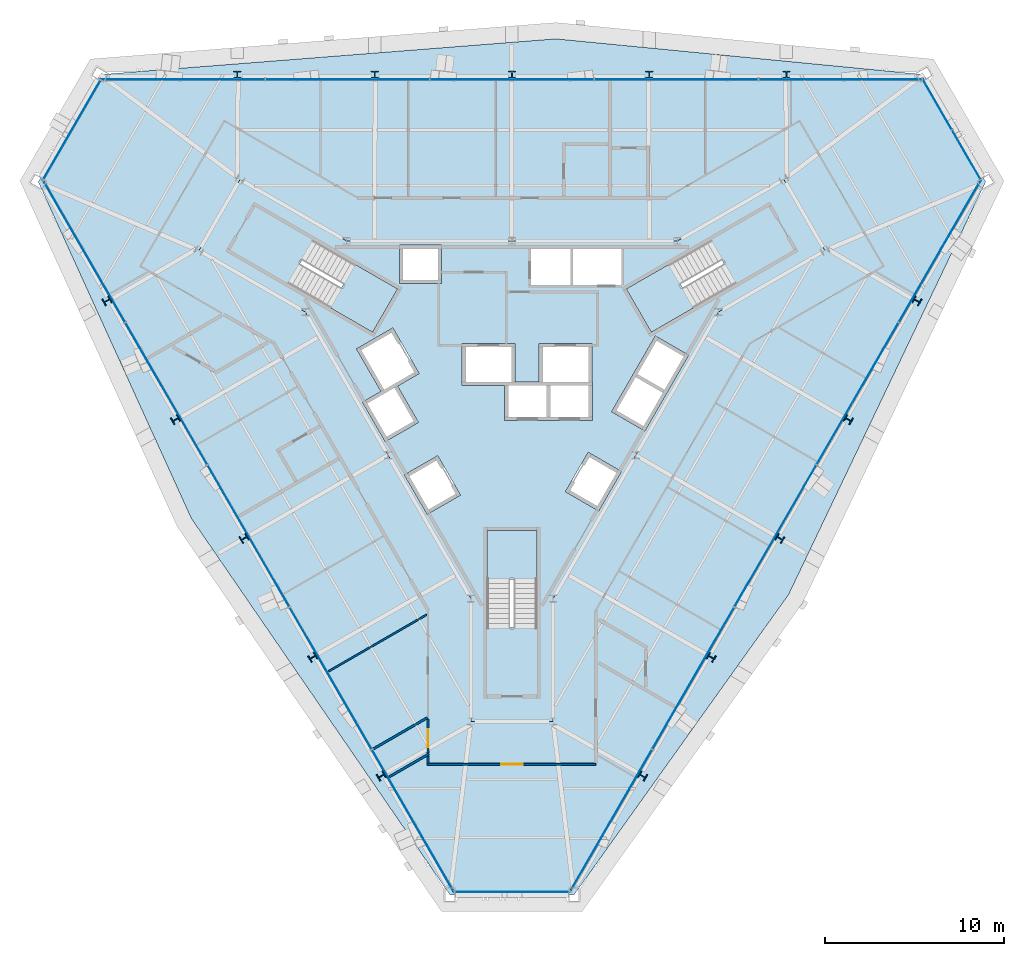
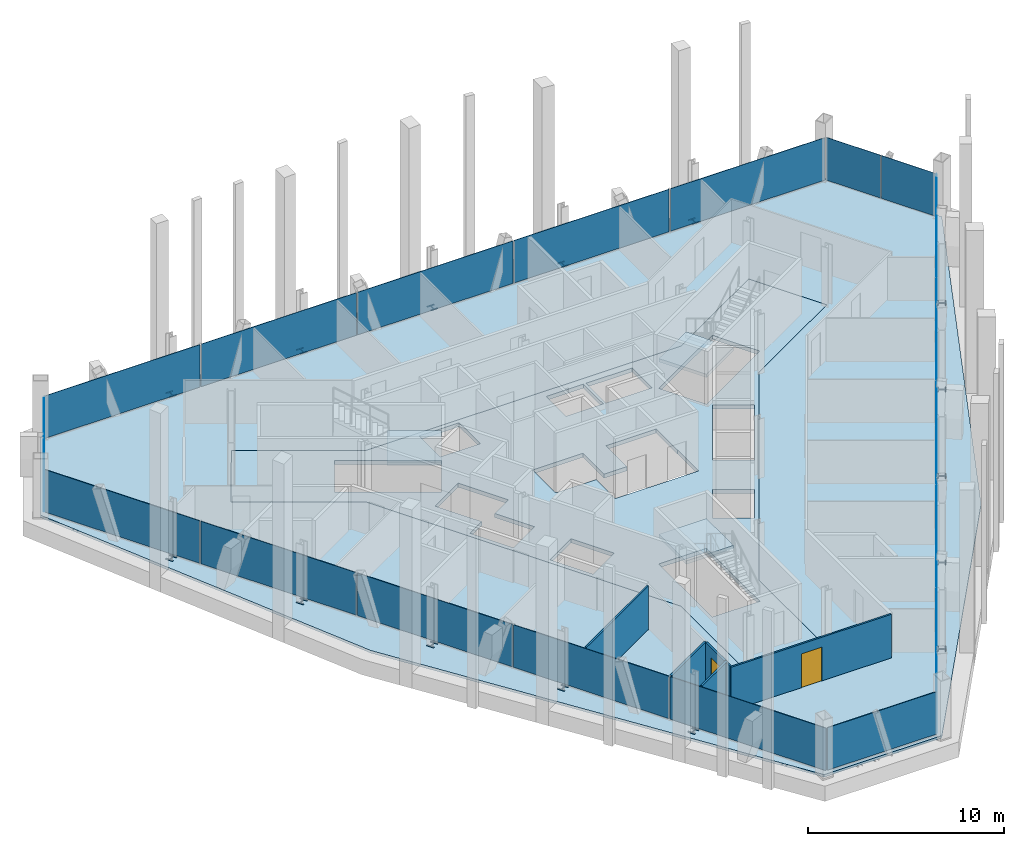
# One storey, part 7 of 13: 19 plates, 15 members, 6 walls, 5 slabs, 2 doors, 2 openings, 9 elements without a shape of their own.
"""IFC4 building model written with IfcOpenShell, lengths in metres."""

from ifc_helpers import new_model, si_unit, direction, frame, frame_2d, origin, origin_2d, place, context, subcontext, project, spatial, polyline, rectangle, i_section, outline, extrude, material, layer, layer_set, material_profile, profile_set, type_object, element, fill, aggregate, save


model = new_model("IFC4")

# Units and contexts
model_context = context("Model", 3, precision=1e-05, world=origin(), true_north=direction((0.0, 1.0)))
body_context = subcontext(model_context, "Body", "Model", "MODEL_VIEW")
ifc_project = project(units=[si_unit("LENGTHUNIT", "METRE"), si_unit("AREAUNIT", "SQUARE_METRE"), si_unit("VOLUMEUNIT", "CUBIC_METRE"), si_unit("PLANEANGLEUNIT", "RADIAN"), si_unit("MASSUNIT", "GRAM", prefix="KILO")], contexts=[model_context])

# Site, building, storey
site_placement = place(None, origin())
site = spatial("IfcSite", under=ifc_project, at=site_placement, CompositionType="ELEMENT")
building_placement = place(site_placement, origin())
building = spatial("IfcBuilding", under=site, at=building_placement, Name="Verrane Prism Tower", CompositionType="ELEMENT")
storey_placement = place(building_placement, frame((0.0, 0.0, 159.89990234375)))
storey = spatial("IfcBuildingStorey", under=building, at=storey_placement, Name="L39", CompositionType="ELEMENT", Elevation=159.89990234375)

# Members
ifc_material_1 = material(Name="Steel A992", Category="steel")
ifc_material_profile = material_profile(ifc_material_1, i_section(OverallWidth=0.411376953125, OverallDepth=0.434326171875, WebThickness=0.035888671875, FlangeThickness=0.057373046875, FilletRadius=0.01513671875, at=origin_2d()), Name="W14x311")
ifc_profile_set = profile_set([ifc_material_profile], Name="Steel A992")
member_type = type_object("IfcMemberType", Name="Kink node W14x311", PredefinedType="COLLAR", material=ifc_profile_set)
member_1_placement = place(storey_placement, frame((15.368408203125, 17.30615234375, -0.039794921875), z_axis=(0.0, 0.0, 1.0), x_axis=(1.0, 0.0, 0.0)))
element("IfcMember", 1, at=member_1_placement, inside=storey, type_object=member_type, Name="Kink node PC6 L39", PredefinedType="COLLAR", context=body_context, shape_type="SweptSolid", body=[
    extrude(i_section(OverallWidth=0.411376953125, OverallDepth=0.434326171875, WebThickness=0.035888671875, FlangeThickness=0.057373046875, FilletRadius=0.01513671875, at=origin_2d()), origin(), (0.0, 0.0, 1.0), 0.079833984375),
])
for number, where, z_axis, x_axis, name in (
    (2, (7.679443359375, 17.306640625, -0.034912109375), (0.0, 0.0, 1.0), (1.0, 0.0, 0.0), "Kink node PC6 L39"),
    (3, (0.0, 17.306640625, -0.034912109375), (0.0, 0.0, 1.0), (1.0, 0.0, 0.0), "Kink node PC6 L39"),
    (4, (-7.679443359375, 17.306640625, -0.034912109375), (0.0, 0.0, 1.0), (1.0, 0.0, 0.0), "Kink node PC6 L39"),
):
    element("IfcMember", number, at=place(storey_placement, frame(where, z_axis=z_axis, x_axis=x_axis)), inside=storey, type_object=member_type, Name=name, PredefinedType="COLLAR", context=body_context, shape_type="SweptSolid", body=[
        extrude(i_section(OverallWidth=0.411376953125, OverallDepth=0.434326171875, WebThickness=0.035888671875, FlangeThickness=0.057373046875, FilletRadius=0.01513671875, at=origin_2d()), origin(), (0.0, 0.0, 1.0), 0.070068359375),
    ])
for number, where, z_axis, x_axis, name in (
    (5, (-15.368408203125, 17.30615234375, -0.039794921875), (0.0, 0.0, 1.0), (1.0, 0.0, 0.0), "Kink node PC6 L39"),
    (6, (7.307373046875, -21.956787109375, -0.039794921875), (0.0, 0.0, 1.0), (-0.5, -0.866025403784, 0.0), "Kink node PC6 L39"),
):
    element("IfcMember", number, at=place(storey_placement, frame(where, z_axis=z_axis, x_axis=x_axis)), inside=storey, type_object=member_type, Name=name, PredefinedType="COLLAR", context=body_context, shape_type="SweptSolid", body=[
        extrude(i_section(OverallWidth=0.411376953125, OverallDepth=0.434326171875, WebThickness=0.035888671875, FlangeThickness=0.057373046875, FilletRadius=0.01513671875, at=origin_2d()), origin(), (0.0, 0.0, 1.0), 0.079833984375),
    ])
for number, where, z_axis, x_axis, name in (
    (7, (11.1474609375, -15.307861328125, -0.034912109375), (0.0, 0.0, 1.0), (-0.5, -0.866025403784, 0.0), "Kink node PC6 L39"),
    (8, (14.987060546875, -8.6484375, -0.034912109375), (0.0, 0.0, 1.0), (-0.5, -0.866025403784, 0.0), "Kink node PC6 L39"),
    (9, (18.826904296875, -1.998779296875, -0.034912109375), (0.0, 0.0, 1.0), (-0.5, -0.866025403784, 0.0), "Kink node PC6 L39"),
):
    element("IfcMember", number, at=place(storey_placement, frame(where, z_axis=z_axis, x_axis=x_axis)), inside=storey, type_object=member_type, Name=name, PredefinedType="COLLAR", context=body_context, shape_type="SweptSolid", body=[
        extrude(i_section(OverallWidth=0.411376953125, OverallDepth=0.434326171875, WebThickness=0.035888671875, FlangeThickness=0.057373046875, FilletRadius=0.01513671875, at=origin_2d()), origin(), (0.0, 0.0, 1.0), 0.070068359375),
    ])
for number, where, z_axis, x_axis, name in (
    (10, (22.666015625, 4.650634765625, -0.039794921875), (0.0, 0.0, 1.0), (-0.5, -0.866025403784, 0.0), "Kink node PC6 L39"),
    (11, (-22.666015625, 4.650634765625, -0.039794921875), (0.0, 0.0, 1.0), (-0.5, 0.866025403784, 0.0), "Kink node PC6 L39"),
):
    element("IfcMember", number, at=place(storey_placement, frame(where, z_axis=z_axis, x_axis=x_axis)), inside=storey, type_object=member_type, Name=name, PredefinedType="COLLAR", context=body_context, shape_type="SweptSolid", body=[
        extrude(i_section(OverallWidth=0.411376953125, OverallDepth=0.434326171875, WebThickness=0.035888671875, FlangeThickness=0.057373046875, FilletRadius=0.01513671875, at=origin_2d()), origin(), (0.0, 0.0, 1.0), 0.079833984375),
    ])
for number, where, z_axis, x_axis, name in (
    (12, (-18.826904296875, -1.998779296875, -0.034912109375), (0.0, 0.0, 1.0), (-0.5, 0.866025403784, 0.0), "Kink node PC6 L39"),
    (13, (-14.987060546875, -8.6484375, -0.034912109375), (0.0, 0.0, 1.0), (-0.5, 0.866025403784, 0.0), "Kink node PC6 L39"),
    (14, (-11.1474609375, -15.307861328125, -0.034912109375), (0.0, 0.0, 1.0), (-0.5, 0.866025403784, 0.0), "Kink node PC6 L39"),
):
    element("IfcMember", number, at=place(storey_placement, frame(where, z_axis=z_axis, x_axis=x_axis)), inside=storey, type_object=member_type, Name=name, PredefinedType="COLLAR", context=body_context, shape_type="SweptSolid", body=[
        extrude(i_section(OverallWidth=0.411376953125, OverallDepth=0.434326171875, WebThickness=0.035888671875, FlangeThickness=0.057373046875, FilletRadius=0.01513671875, at=origin_2d()), origin(), (0.0, 0.0, 1.0), 0.070068359375),
    ])
member_2_placement = place(storey_placement, frame((-7.307373046875, -21.956787109375, -0.039794921875), z_axis=(0.0, 0.0, 1.0), x_axis=(-0.5, 0.866025403784, 0.0)))
element("IfcMember", 15, at=member_2_placement, inside=storey, type_object=member_type, Name="Kink node PC6 L39", PredefinedType="COLLAR", context=body_context, shape_type="SweptSolid", body=[
    extrude(i_section(OverallWidth=0.411376953125, OverallDepth=0.434326171875, WebThickness=0.035888671875, FlangeThickness=0.057373046875, FilletRadius=0.01513671875, at=origin_2d()), origin(), (0.0, 0.0, 1.0), 0.079833984375),
])

# Slabs
ifc_material_2 = material(Name="Concrete C35/45", Category="concrete")
ifc_layer_1 = layer(ifc_material_2, 0.159912109375)
ifc_layer_set_1 = layer_set([ifc_layer_1], Name="Composite floor slab")
slab_type_1 = type_object("IfcSlabType", Name="Composite floor slab", PredefinedType="FLOOR", material=ifc_layer_set_1)
slab_1_placement = place(storey_placement, frame((0.0, 0.0, -0.159912109375)))
element("IfcSlab", 16, at=slab_1_placement, inside=storey, type_object=slab_type_1, Name="Floor slab L39", PredefinedType="FLOOR", context=body_context, shape_type="SweptSolid", body=[
    extrude(outline(polyline([(15.49365234375, -11.7841796875), (3.467041015625, -28.614990234375), (-3.467041015625, -28.614990234375), (-17.9521484375, -7.52587890625), (-26.514892578125, 11.304931640625), (-23.0478515625, 17.31005859375), (2.45849609375, 19.31005859375), (23.0478515625, 17.31005859375), (26.514892578125, 11.304931640625), (15.49365234375, -11.7841796875)]), holes=[polyline([(17.52001953125, 7.4599609375), (15.219970703125, 11.43994140625), (9.260009765625, 8.0), (0.0, 8.0), (-9.260009765625, 8.0), (-15.219970703125, 11.43994140625), (-17.52001953125, 7.4599609375), (-11.56005859375, 4.02001953125), (-6.929931640625, -4.0), (-2.300048828125, -12.02001953125), (-2.300048828125, -18.89990234375), (2.300048828125, -18.89990234375), (2.300048828125, -12.02001953125), (6.929931640625, -4.0), (11.56005859375, 4.02001953125), (17.52001953125, 7.4599609375)])]), origin(), (0.0, 0.0, 1.0), 0.159912109375),
])
ifc_material_3 = material(Name="Concrete C40/50", Category="concrete")
ifc_layer_2 = layer(ifc_material_3, 0.25)
ifc_layer_set_2 = layer_set([ifc_layer_2], Name="Core floor slab 250 concrete C40/50")
slab_type_2 = type_object("IfcSlabType", Name="Core floor slab 250 concrete C40/50", PredefinedType="FLOOR", material=ifc_layer_set_2)
slab_2_placement = place(storey_placement, frame((0.0, 0.0, -0.25)))
element("IfcSlab", 17, at=slab_2_placement, inside=storey, type_object=slab_type_2, Name="Core floor L39", PredefinedType="FLOOR", context=body_context, shape_type="SweptSolid", body=[
    extrude(outline(polyline([(11.56005859375, 4.02001953125), (17.52001953125, 7.4599609375), (15.219970703125, 11.43994140625), (9.260009765625, 8.0), (0.0, 8.0), (-9.260009765625, 8.0), (-15.219970703125, 11.43994140625), (-17.52001953125, 7.4599609375), (-11.56005859375, 4.02001953125), (-6.929931640625, -4.0), (-2.300048828125, -12.02001953125), (-2.300048828125, -18.89990234375), (2.300048828125, -18.89990234375), (2.300048828125, -12.02001953125), (6.929931640625, -4.0), (11.56005859375, 4.02001953125)]), holes=[polyline([(1.39990234375, -8.199951171875), (1.39990234375, -13.639892578125), (-1.39990234375, -13.639892578125), (-1.39990234375, -8.199951171875), (1.39990234375, -8.199951171875)]), polyline([(-2.881103515625, -6.22998046875), (-4.742919921875, -7.304931640625), (-6.01806640625, -5.096923828125), (-4.156005859375, -4.02197265625), (-2.881103515625, -6.22998046875)]), polyline([(-7.801025390625, 2.887939453125), (-12.512939453125, 5.60791015625), (-11.113037109375, 8.031982421875), (-6.40087890625, 5.31201171875), (-7.801025390625, 2.887939453125)]), polyline([(-6.284912109375, 5.610107421875), (-6.284912109375, 7.760009765625), (-3.93505859375, 7.760009765625), (-3.93505859375, 5.610107421875), (-6.284912109375, 5.610107421875)]), polyline([(4.26611328125, -3.8310546875), (6.1279296875, -4.906005859375), (4.85302734375, -7.114990234375), (2.990966796875, -6.0400390625), (4.26611328125, -3.8310546875)]), polyline([(7.43798828125, -2.636962890625), (5.575927734375, -1.56201171875), (8.02587890625, 2.680908203125), (9.887939453125, 1.60595703125), (7.43798828125, -2.636962890625)]), polyline([(0.1650390625, 0.10009765625), (1.52490234375, 0.10009765625), (1.52490234375, 2.25), (4.47509765625, 2.25), (4.47509765625, 0.10009765625), (4.4951171875, 0.10009765625), (4.4951171875, -2.050048828125), (-0.405029296875, -2.050048828125), (-0.405029296875, -0.10009765625), (-2.784912109375, -0.10009765625), (-2.784912109375, 2.25), (0.1650390625, 2.25), (0.1650390625, 0.10009765625)]), polyline([(6.40087890625, 5.31201171875), (11.113037109375, 8.031982421875), (12.512939453125, 5.60791015625), (7.801025390625, 2.887939453125), (6.40087890625, 5.31201171875)]), polyline([(1.074951171875, 5.534912109375), (1.074951171875, 7.56005859375), (3.264892578125, 7.56005859375), (3.264892578125, 5.534912109375), (1.074951171875, 5.534912109375)]), polyline([(3.4150390625, 7.56005859375), (6.125, 7.56005859375), (6.125, 5.534912109375), (3.4150390625, 5.534912109375), (3.4150390625, 7.56005859375)]), polyline([(-5.23095703125, -2.159912109375), (-7.093017578125, -3.235107421875), (-8.367919921875, -1.02587890625), (-7.3291015625, -0.426025390625), (-8.7041015625, 1.955078125), (-6.66796875, 3.1298828125), (-5.193115234375, 0.574951171875), (-6.406005859375, -0.125), (-5.23095703125, -2.159912109375)])]), origin(), (0.0, 0.0, 1.0), 0.25),
])

# Curtain wall, plates
ifc_material_4 = material(Name="Aluminium framed insulated glazing", Category="aluminium")
curtain_wall_type_1 = type_object("IfcCurtainWallType", Name="Curtain wall CW-C 4200 module", PredefinedType="NOTDEFINED", material=ifc_material_4)
curtain_wall_1_placement = place(storey_placement, origin())
curtain_wall_1 = element("IfcCurtainWall", 18, at=curtain_wall_1_placement, inside=storey, type_object=curtain_wall_type_1, Name="Glazed curtain wall north-east corner L39", PredefinedType="NOTDEFINED")
ifc_material_5 = material(Name="Low-iron insulating glass unit", Category="glass")
ifc_layer_3 = layer(ifc_material_5, 0.02392578125)
ifc_layer_set_3 = layer_set([ifc_layer_3], Name="Glazing panel IGU 24")
plate_type_1 = type_object("IfcPlateType", Name="Glazing panel IGU 24", PredefinedType="CURTAIN_PANEL", material=ifc_layer_set_3)
plate_1_placement = place(storey_placement, frame((25.43310546875, 12.823486328125, 0.05029296875), z_axis=(0.0, 0.0, 1.0), x_axis=(-0.50000590643, 0.866021993679, 0.0)))
plate_1 = element("IfcPlate", 19, at=plate_1_placement, type_object=plate_type_1, Name="CW39.1 panel 1", PredefinedType="CURTAIN_PANEL", context=body_context, shape_type="SweptSolid", body=[
    extrude(rectangle(XDim=3.17236328125, YDim=0.02392578125, at=origin_2d()), origin(), (0.0, 0.0, 1.0), 2.662841796875),
])
plate_2_placement = place(storey_placement, frame((23.8095703125, 15.6357421875, 0.05029296875), z_axis=(0.0, 0.0, 1.0), x_axis=(-0.50000590643, 0.866021993679, 0.0)))
plate_2 = element("IfcPlate", 20, at=plate_2_placement, type_object=plate_type_1, Name="CW39.1 panel 2", PredefinedType="CURTAIN_PANEL", context=body_context, shape_type="SweptSolid", body=[
    extrude(rectangle(XDim=3.22216796875, YDim=0.02392578125, at=origin_2d()), origin(), (0.0, 0.0, 1.0), 2.662841796875),
])
aggregate(curtain_wall_1, [plate_1, plate_2])

ifc_material_6 = material(Name="Aluminium framed insulated glazing", Category="aluminium")
curtain_wall_type_2 = type_object("IfcCurtainWallType", Name="Curtain wall CW-A 8400 module", PredefinedType="NOTDEFINED", material=ifc_material_6)
curtain_wall_2_placement = place(storey_placement, origin())
curtain_wall_2 = element("IfcCurtainWall", 21, at=curtain_wall_2_placement, inside=storey, type_object=curtain_wall_type_2, Name="Glazed curtain wall north face L39", PredefinedType="NOTDEFINED")
ifc_material_7 = material(Name="Low-iron insulating glass unit", Category="glass")
ifc_layer_4 = layer(ifc_material_7, 0.031982421875)
ifc_layer_set_4 = layer_set([ifc_layer_4], Name="Glazing panel IGU 32")
plate_type_2 = type_object("IfcPlateType", Name="Glazing panel IGU 32", PredefinedType="CURTAIN_PANEL", material=ifc_layer_set_4)
plate_3_placement = place(storey_placement, frame((18.3857421875, 17.031005859375, 0.0703125), z_axis=(0.0, 0.0, 1.0), x_axis=(-1.0, 0.0, 0.0)))
plate_3 = element("IfcPlate", 22, at=plate_3_placement, type_object=plate_type_2, Name="CW39.2 panel 1", PredefinedType="CURTAIN_PANEL", context=body_context, shape_type="SweptSolid", body=[
    extrude(rectangle(XDim=9.0966796875, YDim=0.031982421875, at=origin_2d()), origin(), (0.0, 0.0, 1.0), 2.642822265625),
])
plate_4_placement = place(storey_placement, frame((9.20166015625, 17.031005859375, 0.0703125), z_axis=(0.0, 0.0, 1.0), x_axis=(-1.0, 0.0, 0.0)))
plate_4 = element("IfcPlate", 23, at=plate_4_placement, type_object=plate_type_2, Name="CW39.2 panel 2", PredefinedType="CURTAIN_PANEL", context=body_context, shape_type="SweptSolid", body=[
    extrude(rectangle(XDim=9.131591796875, YDim=0.031982421875, at=origin_2d()), origin(), (0.0, 0.0, 1.0), 2.642822265625),
])
plate_5_placement = place(storey_placement, frame((0.0, 17.031005859375, 0.0703125), z_axis=(0.0, 0.0, 1.0), x_axis=(-1.0, 0.0, 0.0)))
plate_5 = element("IfcPlate", 24, at=plate_5_placement, type_object=plate_type_2, Name="CW39.2 panel 3", PredefinedType="CURTAIN_PANEL", context=body_context, shape_type="SweptSolid", body=[
    extrude(rectangle(XDim=9.131591796875, YDim=0.031982421875, at=origin_2d()), origin(), (0.0, 0.0, 1.0), 2.642822265625),
])
plate_6_placement = place(storey_placement, frame((-9.20166015625, 17.031005859375, 0.0703125), z_axis=(0.0, 0.0, 1.0), x_axis=(-1.0, 0.0, 0.0)))
plate_6 = element("IfcPlate", 25, at=plate_6_placement, type_object=plate_type_2, Name="CW39.2 panel 4", PredefinedType="CURTAIN_PANEL", context=body_context, shape_type="SweptSolid", body=[
    extrude(rectangle(XDim=9.131591796875, YDim=0.031982421875, at=origin_2d()), origin(), (0.0, 0.0, 1.0), 2.642822265625),
])
plate_7_placement = place(storey_placement, frame((-18.420654296875, 17.031005859375, 0.0703125), z_axis=(0.0, 0.0, 1.0), x_axis=(-1.0, 0.0, 0.0)))
plate_7 = element("IfcPlate", 26, at=plate_7_placement, type_object=plate_type_2, Name="CW39.2 panel 5", PredefinedType="CURTAIN_PANEL", context=body_context, shape_type="SweptSolid", body=[
    extrude(rectangle(XDim=9.16650390625, YDim=0.031982421875, at=origin_2d()), origin(), (0.0, 0.0, 1.0), 2.642822265625),
])
aggregate(curtain_wall_2, [plate_3, plate_4, plate_5, plate_6, plate_7])

# Curtain wall, plate
curtain_wall_3_placement = place(storey_placement, origin())
curtain_wall_3 = element("IfcCurtainWall", 27, at=curtain_wall_3_placement, inside=storey, type_object=curtain_wall_type_2, Name="Glazed curtain wall north-west corner L39", PredefinedType="NOTDEFINED")
plate_8_placement = place(storey_placement, frame((-24.645263671875, 14.1884765625, 0.0703125), z_axis=(0.0, 0.0, 1.0), x_axis=(-0.50000590643, -0.866021993679, 0.0)))
plate_8 = element("IfcPlate", 28, at=plate_8_placement, type_object=plate_type_2, Name="CW39.3 panel 1", PredefinedType="CURTAIN_PANEL", context=body_context, shape_type="SweptSolid", body=[
    extrude(rectangle(XDim=6.424560546875, YDim=0.031982421875, at=origin_2d()), origin(), (0.0, 0.0, 1.0), 2.642822265625),
])
aggregate(curtain_wall_3, [plate_8])

# Curtain wall, plates
curtain_wall_4_placement = place(storey_placement, origin())
curtain_wall_4 = element("IfcCurtainWall", 29, at=curtain_wall_4_placement, inside=storey, type_object=curtain_wall_type_2, Name="Glazed curtain wall south-west face L39", PredefinedType="NOTDEFINED")
plate_9_placement = place(storey_placement, frame((-23.942138671875, 7.406982421875, 0.0703125), z_axis=(0.0, 0.0, 1.0), x_axis=(0.499999028499, -0.86602596468, 0.0)))
plate_9 = element("IfcPlate", 30, at=plate_9_placement, type_object=plate_type_2, Name="CW39.4 panel 1", PredefinedType="CURTAIN_PANEL", context=body_context, shape_type="SweptSolid", body=[
    extrude(rectangle(XDim=9.0966796875, YDim=0.031982421875, at=origin_2d()), origin(), (0.0, 0.0, 1.0), 2.642822265625),
])
plate_10_placement = place(storey_placement, frame((-19.35009765625, -0.546630859375, 0.0703125), z_axis=(0.0, 0.0, 1.0), x_axis=(0.499999028499, -0.86602596468, 0.0)))
plate_10 = element("IfcPlate", 31, at=plate_10_placement, type_object=plate_type_2, Name="CW39.4 panel 2", PredefinedType="CURTAIN_PANEL", context=body_context, shape_type="SweptSolid", body=[
    extrude(rectangle(XDim=9.131591796875, YDim=0.031982421875, at=origin_2d()), origin(), (0.0, 0.0, 1.0), 2.642822265625),
])
plate_11_placement = place(storey_placement, frame((-14.749267578125, -8.515380859375, 0.0703125), z_axis=(0.0, 0.0, 1.0), x_axis=(0.499999028499, -0.86602596468, 0.0)))
plate_11 = element("IfcPlate", 32, at=plate_11_placement, type_object=plate_type_2, Name="CW39.4 panel 3", PredefinedType="CURTAIN_PANEL", context=body_context, shape_type="SweptSolid", body=[
    extrude(rectangle(XDim=9.131591796875, YDim=0.031982421875, at=origin_2d()), origin(), (0.0, 0.0, 1.0), 2.642822265625),
])
plate_12_placement = place(storey_placement, frame((-10.1484375, -16.484375, 0.0703125), z_axis=(0.0, 0.0, 1.0), x_axis=(0.499999028499, -0.86602596468, 0.0)))
plate_12 = element("IfcPlate", 33, at=plate_12_placement, type_object=plate_type_2, Name="CW39.4 panel 4", PredefinedType="CURTAIN_PANEL", context=body_context, shape_type="SweptSolid", body=[
    extrude(rectangle(XDim=9.131591796875, YDim=0.031982421875, at=origin_2d()), origin(), (0.0, 0.0, 1.0), 2.642822265625),
])
plate_13_placement = place(storey_placement, frame((-5.5390625, -24.46826171875, 0.0703125), z_axis=(0.0, 0.0, 1.0), x_axis=(0.499999028499, -0.86602596468, 0.0)))
plate_13 = element("IfcPlate", 34, at=plate_13_placement, type_object=plate_type_2, Name="CW39.4 panel 5", PredefinedType="CURTAIN_PANEL", context=body_context, shape_type="SweptSolid", body=[
    extrude(rectangle(XDim=9.16650390625, YDim=0.031982421875, at=origin_2d()), origin(), (0.0, 0.0, 1.0), 2.642822265625),
])
aggregate(curtain_wall_4, [plate_9, plate_10, plate_11, plate_12, plate_13])

# Curtain wall, plate
curtain_wall_5_placement = place(storey_placement, origin())
curtain_wall_5 = element("IfcCurtainWall", 35, at=curtain_wall_5_placement, inside=storey, type_object=curtain_wall_type_2, Name="Glazed curtain wall south corner L39", PredefinedType="NOTDEFINED")
plate_14_placement = place(storey_placement, frame((0.034912109375, -28.4375, 0.0703125), z_axis=(0.0, 0.0, 1.0), x_axis=(1.0, 0.0, 0.0)))
plate_14 = element("IfcPlate", 36, at=plate_14_placement, type_object=plate_type_2, Name="CW39.5 panel 1", PredefinedType="CURTAIN_PANEL", context=body_context, shape_type="SweptSolid", body=[
    extrude(rectangle(XDim=6.424560546875, YDim=0.031982421875, at=origin_2d()), origin(), (0.0, 0.0, 1.0), 2.642822265625),
])
aggregate(curtain_wall_5, [plate_14])

# Curtain wall, plates
curtain_wall_6_placement = place(storey_placement, origin())
curtain_wall_6 = element("IfcCurtainWall", 37, at=curtain_wall_6_placement, inside=storey, type_object=curtain_wall_type_2, Name="Glazed curtain wall south-east face L39", PredefinedType="NOTDEFINED")
plate_15_placement = place(storey_placement, frame((5.556396484375, -24.43798828125, 0.0703125), z_axis=(0.0, 0.0, 1.0), x_axis=(0.499999028499, 0.86602596468, 0.0)))
plate_15 = element("IfcPlate", 38, at=plate_15_placement, type_object=plate_type_2, Name="CW39.6 panel 1", PredefinedType="CURTAIN_PANEL", context=body_context, shape_type="SweptSolid", body=[
    extrude(rectangle(XDim=9.0966796875, YDim=0.031982421875, at=origin_2d()), origin(), (0.0, 0.0, 1.0), 2.642822265625),
])
plate_16_placement = place(storey_placement, frame((10.1484375, -16.484375, 0.0703125), z_axis=(0.0, 0.0, 1.0), x_axis=(0.499999028499, 0.86602596468, 0.0)))
plate_16 = element("IfcPlate", 39, at=plate_16_placement, type_object=plate_type_2, Name="CW39.6 panel 2", PredefinedType="CURTAIN_PANEL", context=body_context, shape_type="SweptSolid", body=[
    extrude(rectangle(XDim=9.131591796875, YDim=0.031982421875, at=origin_2d()), origin(), (0.0, 0.0, 1.0), 2.642822265625),
])
plate_17_placement = place(storey_placement, frame((14.749267578125, -8.515380859375, 0.0703125), z_axis=(0.0, 0.0, 1.0), x_axis=(0.499999028499, 0.86602596468, 0.0)))
plate_17 = element("IfcPlate", 40, at=plate_17_placement, type_object=plate_type_2, Name="CW39.6 panel 3", PredefinedType="CURTAIN_PANEL", context=body_context, shape_type="SweptSolid", body=[
    extrude(rectangle(XDim=9.131591796875, YDim=0.031982421875, at=origin_2d()), origin(), (0.0, 0.0, 1.0), 2.642822265625),
])
plate_18_placement = place(storey_placement, frame((19.35009765625, -0.546630859375, 0.0703125), z_axis=(0.0, 0.0, 1.0), x_axis=(0.499999028499, 0.86602596468, 0.0)))
plate_18 = element("IfcPlate", 41, at=plate_18_placement, type_object=plate_type_2, Name="CW39.6 panel 4", PredefinedType="CURTAIN_PANEL", context=body_context, shape_type="SweptSolid", body=[
    extrude(rectangle(XDim=9.131591796875, YDim=0.031982421875, at=origin_2d()), origin(), (0.0, 0.0, 1.0), 2.642822265625),
])
plate_19_placement = place(storey_placement, frame((23.959716796875, 7.437255859375, 0.0703125), z_axis=(0.0, 0.0, 1.0), x_axis=(0.499999028499, 0.86602596468, 0.0)))
plate_19 = element("IfcPlate", 42, at=plate_19_placement, type_object=plate_type_2, Name="CW39.6 panel 5", PredefinedType="CURTAIN_PANEL", context=body_context, shape_type="SweptSolid", body=[
    extrude(rectangle(XDim=9.16650390625, YDim=0.031982421875, at=origin_2d()), origin(), (0.0, 0.0, 1.0), 2.642822265625),
])
aggregate(curtain_wall_6, [plate_15, plate_16, plate_17, plate_18, plate_19])

# Stair, slab
ifc_material_8 = material(Name="Concrete C40/50", Category="concrete")
stair_type = type_object("IfcStairType", Name="Exit stair 1300 dog-leg precast concrete C40/50", PredefinedType="HALF_TURN_STAIR", material=ifc_material_8)
stair_1_placement = place(storey_placement, origin())
stair_1 = element("IfcStair", 43, at=stair_1_placement, inside=storey, type_object=stair_type, Name="Stair 1 L39", PredefinedType="HALF_TURN_STAIR")
ifc_material_9 = material(Name="Concrete C40/50", Category="concrete")
ifc_layer_5 = layer(ifc_material_9, 0.199951171875)
ifc_layer_set_5 = layer_set([ifc_layer_5], Name="Stair landing 200 precast concrete C40/50")
slab_type_3 = type_object("IfcSlabType", Name="Stair landing 200 precast concrete C40/50", PredefinedType="LANDING", material=ifc_layer_set_5)
slab_3_placement = place(storey_placement, frame((0.0, 0.0, 1.650146484375)))
slab_3 = element("IfcSlab", 44, at=slab_3_placement, type_object=slab_type_3, Name="Stair 1 landing 1", PredefinedType="LANDING", context=body_context, shape_type="SweptSolid", body=[
    extrude(outline(polyline([(8.791748046875, 6.6923828125), (6.4013671875, 5.3125), (7.801513671875, 2.887451171875), (10.191650390625, 4.267578125), (8.791748046875, 6.6923828125)])), origin(), (0.0, 0.0, 1.0), 0.199951171875),
])
aggregate(stair_1, [slab_3])

stair_2_placement = place(storey_placement, origin())
stair_2 = element("IfcStair", 45, at=stair_2_placement, inside=storey, type_object=stair_type, Name="Stair 2 L39", PredefinedType="HALF_TURN_STAIR")
slab_4_placement = place(storey_placement, frame((0.0, 0.0, 1.650146484375)))
slab_4 = element("IfcSlab", 46, at=slab_4_placement, type_object=slab_type_3, Name="Stair 2 landing 1", PredefinedType="LANDING", context=body_context, shape_type="SweptSolid", body=[
    extrude(outline(polyline([(-10.191650390625, 4.267578125), (-7.801513671875, 2.887451171875), (-6.4013671875, 5.3125), (-8.791748046875, 6.6923828125), (-10.191650390625, 4.267578125)])), origin(), (0.0, 0.0, 1.0), 0.199951171875),
])
aggregate(stair_2, [slab_4])

stair_3_placement = place(storey_placement, origin())
stair_3 = element("IfcStair", 47, at=stair_3_placement, inside=storey, type_object=stair_type, Name="Stair 3 L39", PredefinedType="HALF_TURN_STAIR")
slab_5_placement = place(storey_placement, frame((0.0, 0.0, 1.650146484375)))
slab_5 = element("IfcSlab", 48, at=slab_5_placement, type_object=slab_type_3, Name="Stair 3 landing 1", PredefinedType="LANDING", context=body_context, shape_type="SweptSolid", body=[
    extrude(outline(polyline([(1.39990234375, -10.9599609375), (1.39990234375, -8.199951171875), (-1.39990234375, -8.199951171875), (-1.39990234375, -10.9599609375), (1.39990234375, -10.9599609375)])), origin(), (0.0, 0.0, 1.0), 0.199951171875),
])
aggregate(stair_3, [slab_5])

# Walls
ifc_material_10 = material(Name="Gypsum board partition", Category="other")
ifc_layer_6 = layer(ifc_material_10, 0.10009765625)
ifc_layer_set_6 = layer_set([ifc_layer_6], Name="PW-100 room partition")
wall_type_1 = type_object("IfcWallType", Name="PW-100 room partition", PredefinedType="PARTITIONING", material=ifc_layer_set_6)
wall_1_placement = place(storey_placement, frame((-10.264404296875, -16.091796875, 0.0), z_axis=(0.0, 0.0, 1.0), x_axis=(0.86602074738, 0.500008065043, 0.0)))
element("IfcWall", 49, at=wall_1_placement, inside=storey, type_object=wall_type_1, Name="Room partition 016", PredefinedType="PARTITIONING", context=body_context, shape_type="SweptSolid", body=[
    extrude(rectangle(XDim=6.3388671875, YDim=0.10009765625, at=frame_2d((3.16943359375, 0.0))), origin(), (0.0, 0.0, 1.0), 2.713134765625),
])
wall_2_placement = place(storey_placement, frame((-4.699951171875, -21.25, 0.0), z_axis=(0.0, 0.0, 1.0), x_axis=(0.0, 1.0, 0.0)))
element("IfcWall", 50, at=wall_2_placement, inside=storey, type_object=wall_type_1, Name="Room partition 021", PredefinedType="PARTITIONING", context=body_context, shape_type="SweptSolid", body=[
    extrude(rectangle(XDim=0.403076171875, YDim=0.10009765625, at=frame_2d((0.20166015625, 0.0))), origin(), (0.0, 0.0, 1.0), 2.713134765625),
])

# Wall, opening, door
wall_3_placement = place(storey_placement, frame((4.699951171875, -21.300048828125, 0.0), z_axis=(0.0, 0.0, 1.0), x_axis=(-1.0, 0.0, 0.0)))
wall_3 = element("IfcWall", 51, at=wall_3_placement, inside=storey, type_object=wall_type_1, Name="Room partition 022", PredefinedType="PARTITIONING", context=body_context, shape_type="SweptSolid", body=[
    extrude(rectangle(XDim=9.449951171875, YDim=0.10009765625, at=frame_2d((4.72509765625, 0.0))), origin(), (0.0, 0.0, 1.0), 2.713134765625),
])
opening_1_placement = place(wall_3_placement, frame((4.10009765625, 0.0, 0.0)))
opening_1 = element("IfcOpeningElement", 52, at=opening_1_placement, cuts=wall_3, Name="Opening D39025", PredefinedType="OPENING", context=body_context, shape_type="SweptSolid", body=[
    extrude(rectangle(XDim=1.199951171875, YDim=2.10009765625, at=frame_2d((0.60009765625, 1.050048828125))), frame((0.0, 0.06005859375, 0.0), z_axis=(0.0, -1.0, 0.0), x_axis=(1.0, 0.0, 0.0)), (0.0, 0.0, 1.0), 0.1201171875),
])
ifc_material_11 = material(Name="Timber veneered door leaf", Category="wood")
door_type_1 = type_object("IfcDoorType", Name="DR-1200x2100 single leaf unit", OperationType="NOTDEFINED", PredefinedType="DOOR", material=ifc_material_11)
door_1_placement = place(opening_1_placement, origin())
door_1 = element("IfcDoor", 53, at=door_1_placement, inside=storey, type_object=door_type_1, Name="Living And Dining Room door", OperationType="SINGLE_SWING_RIGHT", OverallHeight=2.10009765625, OverallWidth=1.199951171875, PredefinedType="DOOR", context=body_context, shape_type="SweptSolid", body=[
    extrude(rectangle(XDim=1.199951171875, YDim=2.10009765625, at=frame_2d((0.60009765625, 1.050048828125))), frame((0.0, 0.02490234375, 0.0), z_axis=(0.0, -1.0, 0.0), x_axis=(1.0, 0.0, 0.0)), (0.0, 0.0, 1.0), 0.050048828125),
])
fill(opening_1, door_1)

# Walls
ifc_material_12 = material(Name="Gypsum board partition", Category="other")
ifc_layer_7 = layer(ifc_material_12, 0.125)
ifc_layer_set_7 = layer_set([ifc_layer_7], Name="PW-125 corridor wall 1 h")
wall_type_2 = type_object("IfcWallType", Name="PW-125 corridor wall 1 h", PredefinedType="PARTITIONING", material=ifc_layer_set_7)
wall_4_placement = place(storey_placement, frame((-7.7578125, -20.433837890625, 0.0), z_axis=(0.0, 0.0, 1.0), x_axis=(0.866090019653, 0.499888065328, 0.0)))
element("IfcWall", 54, at=wall_4_placement, inside=storey, type_object=wall_type_2, Name="Corridor wall 018", PredefinedType="PARTITIONING", context=body_context, shape_type="SweptSolid", body=[
    extrude(rectangle(XDim=3.488037109375, YDim=0.125, at=frame_2d((1.744140625, 0.0))), origin(), (0.0, 0.0, 1.0), 2.713134765625),
])
wall_5_placement = place(storey_placement, frame((-6.857666015625, -21.992919921875, 0.0), z_axis=(0.0, 0.0, 1.0), x_axis=(0.865992952931, 0.500056202316, 0.0)))
element("IfcWall", 55, at=wall_5_placement, inside=storey, type_object=wall_type_2, Name="Corridor wall 019", PredefinedType="PARTITIONING", context=body_context, shape_type="SweptSolid", body=[
    extrude(rectangle(XDim=2.553955078125, YDim=0.125, at=frame_2d((1.27685546875, 0.0))), origin(), (0.0, 0.0, 1.0), 2.713134765625),
])

# Wall, opening, door
wall_6_placement = place(storey_placement, frame((-4.699951171875, -18.77392578125, 0.0), z_axis=(0.0, 0.0, 1.0), x_axis=(0.0, -1.0, 0.0)))
wall_6 = element("IfcWall", 56, at=wall_6_placement, inside=storey, type_object=wall_type_2, Name="Corridor wall 023", PredefinedType="PARTITIONING", context=body_context, shape_type="SweptSolid", body=[
    extrude(rectangle(XDim=1.88818359375, YDim=0.125, at=frame_2d((0.944091796875, 0.0))), origin(), (0.0, 0.0, 1.0), 2.713134765625),
])
opening_2_placement = place(wall_6_placement, frame((0.572998046875, 0.0, 0.0)))
opening_2 = element("IfcOpeningElement", 57, at=opening_2_placement, cuts=wall_6, Name="Opening D39026", PredefinedType="OPENING", context=body_context, shape_type="SweptSolid", body=[
    extrude(rectangle(XDim=1.0, YDim=2.10009765625, at=frame_2d((0.5, 1.050048828125))), frame((0.0, 0.072509765625, 0.0), z_axis=(0.0, -1.0, 0.0), x_axis=(1.0, 0.0, 0.0)), (0.0, 0.0, 1.0), 0.14501953125),
])
ifc_material_13 = material(Name="Timber veneered door leaf", Category="wood")
door_type_2 = type_object("IfcDoorType", Name="DR-1000x2100 FD20 single leaf unit", OperationType="NOTDEFINED", PredefinedType="DOOR", material=ifc_material_13)
door_2_placement = place(opening_2_placement, origin())
door_2 = element("IfcDoor", 58, at=door_2_placement, inside=storey, type_object=door_type_2, Name="Entrance Hall door", OperationType="SINGLE_SWING_LEFT", OverallHeight=2.10009765625, OverallWidth=1.0, PredefinedType="DOOR", context=body_context, shape_type="SweptSolid", body=[
    extrude(rectangle(XDim=1.0, YDim=2.10009765625, at=frame_2d((0.5, 1.050048828125))), frame((0.0, 0.02490234375, 0.0), z_axis=(0.0, -1.0, 0.0), x_axis=(1.0, 0.0, 0.0)), (0.0, 0.0, 1.0), 0.050048828125),
])
fill(opening_2, door_2)

save(model, "model.ifc")
